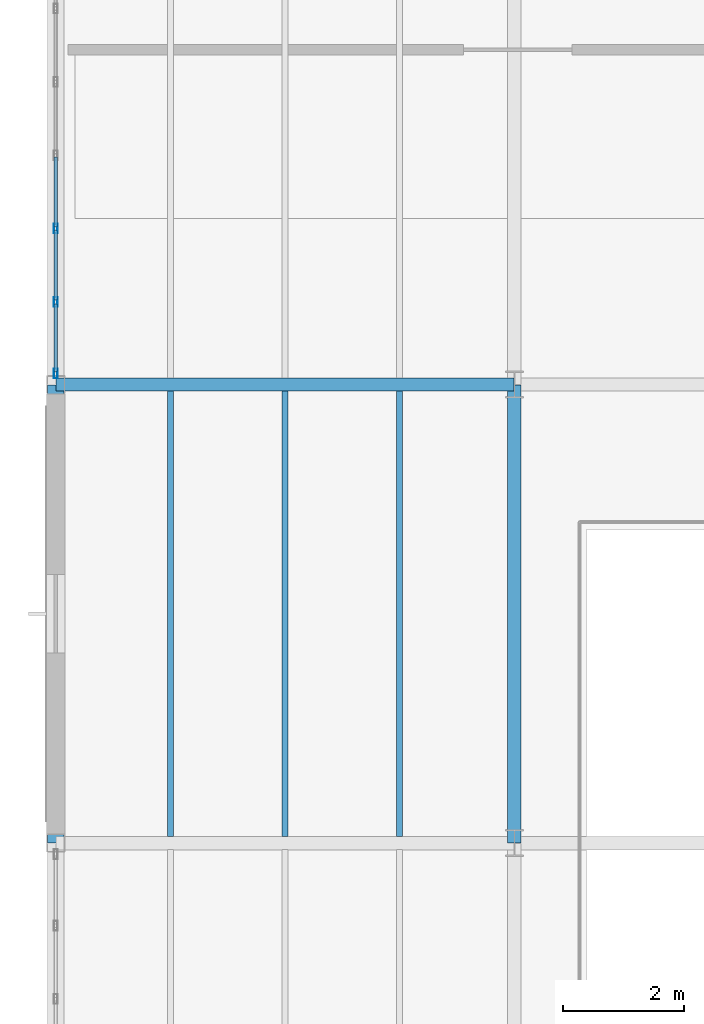
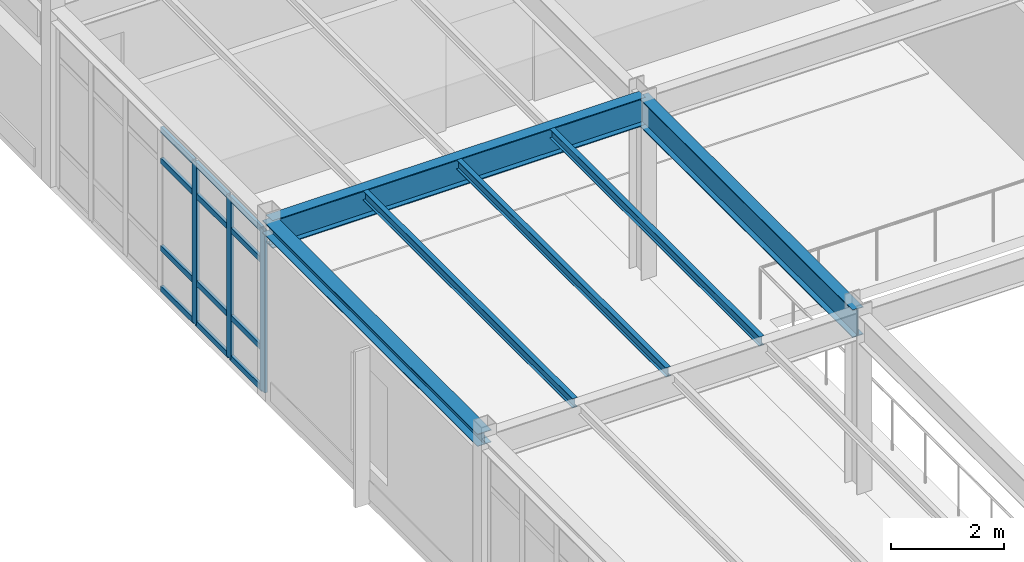
# One storey, part 68 of 165: 15 members, 6 beams, 1 element without a shape of its own.
"""IFC4 building model written with IfcOpenShell, lengths in metres."""

from ifc_helpers import new_model, si_unit, direction, frame, origin, origin_2d, place, context, subcontext, project, spatial, hollow_rectangle, i_section, extrude, material, layer, layer_set, material_profile, profile_set, type_object, element, aggregate, save


model = new_model("IFC4")

# Units and contexts
model_context = context("Model", 3, precision=1e-05, world=origin(), true_north=direction((0.0, 1.0)))
body_context = subcontext(model_context, "Body", "Model", "MODEL_VIEW")
ifc_project = project(units=[si_unit("LENGTHUNIT", "METRE"), si_unit("AREAUNIT", "SQUARE_METRE"), si_unit("VOLUMEUNIT", "CUBIC_METRE"), si_unit("PLANEANGLEUNIT", "RADIAN"), si_unit("MASSUNIT", "GRAM", prefix="KILO")], contexts=[model_context])

# Site, building, storey
site_placement = place(None, origin())
site = spatial("IfcSite", under=ifc_project, at=site_placement, CompositionType="ELEMENT")
building_placement = place(site_placement, origin())
building = spatial("IfcBuilding", under=site, at=building_placement, Name="Montecoro Central Library", CompositionType="ELEMENT")
storey_placement = place(building_placement, frame((0.0, 0.0, 5.10009765625)))
storey = spatial("IfcBuildingStorey", under=building, at=storey_placement, Name="L01", CompositionType="ELEMENT", Elevation=5.10009765625)

# Beams
ifc_material_1 = material(Name="Steel S355J2", Category="steel")
ifc_material_profile_1 = material_profile(ifc_material_1, i_section(OverallWidth=0.219970703125, OverallDepth=0.60009765625, WebThickness=0.011962890625, FlangeThickness=0.01904296875, at=origin_2d()), Name="IPE 600")
ifc_profile_set_1 = profile_set([ifc_material_profile_1], Name="Steel S355J2")
beam_type_1 = type_object("IfcBeamType", Name="BM-G-IPE600", PredefinedType="USERDEFINED", material=ifc_profile_set_1)
for number, where, z_axis, x_axis, name in (
    (1, (5.0048828125, 96.199951171875, 3.52490234375), (1.0, 0.0, 0.0), (0.0, 1.0, 0.0), "V4-L01-BX-12-N"),
    (2, (12.60009765625, 88.60498046875, 3.52490234375), (0.0, 1.0, 0.0), (-1.0, 0.0, 0.0), "V4-L01-BY-2-MN"),
):
    element("IfcBeam", number, at=place(storey_placement, frame(where, z_axis=z_axis, x_axis=x_axis)), inside=storey, type_object=beam_type_1, Name=name, ObjectType="GIRDER", PredefinedType="USERDEFINED", context=body_context, shape_type="SweptSolid", body=[
        extrude(i_section(OverallWidth=0.219970703125, OverallDepth=0.60009765625, WebThickness=0.011962890625, FlangeThickness=0.01904296875, at=origin_2d()), origin(), (0.0, 0.0, 1.0), 7.590087890625),
    ])
ifc_material_2 = material(Name="Steel S355", Category="steel")
ifc_material_profile_2 = material_profile(ifc_material_2, i_section(OverallWidth=0.10009765625, OverallDepth=0.199951171875, WebThickness=0.005615234375, FlangeThickness=0.008544921875, at=origin_2d()), Name="IPE 200")
ifc_profile_set_2 = profile_set([ifc_material_profile_2], Name="Steel S355")
beam_type_2 = type_object("IfcBeamType", Name="BM-J-IPE200", PredefinedType="JOIST", material=ifc_profile_set_2)
for number, where, z_axis, x_axis, name in (
    (3, (6.89990234375, 88.70703125, 3.724853515625), (0.0, 1.0, 0.0), (-1.0, 0.0, 0.0), "V4-L01-JS-12-MN-1"),
    (4, (8.800048828125, 88.70703125, 3.724853515625), (0.0, 1.0, 0.0), (-1.0, 0.0, 0.0), "V4-L01-JS-12-MN-2"),
    (5, (10.699951171875, 88.70703125, 3.724853515625), (0.0, 1.0, 0.0), (-1.0, 0.0, 0.0), "V4-L01-JS-12-MN-3"),
):
    element("IfcBeam", number, at=place(storey_placement, frame(where, z_axis=z_axis, x_axis=x_axis)), inside=storey, type_object=beam_type_2, Name=name, PredefinedType="JOIST", context=body_context, shape_type="SweptSolid", body=[
        extrude(i_section(OverallWidth=0.10009765625, OverallDepth=0.199951171875, WebThickness=0.005615234375, FlangeThickness=0.008544921875, at=origin_2d()), origin(), (0.0, 0.0, 1.0), 7.385986328125),
    ])
ifc_material_profile_3 = material_profile(ifc_material_2, i_section(OverallWidth=0.280029296875, OverallDepth=0.27001953125, WebThickness=0.008056640625, FlangeThickness=0.012939453125, at=origin_2d()), Name="HEA 280")
ifc_profile_set_3 = profile_set([ifc_material_profile_3], Name="Steel S355")
beam_type_3 = type_object("IfcBeamType", Name="BM-SP-HEA280", PredefinedType="SPANDREL", material=ifc_profile_set_3)
beam_placement = place(storey_placement, frame((5.0, 88.60498046875, 3.68994140625), z_axis=(0.0, 1.0, 0.0), x_axis=(-1.0, 0.0, 0.0)))
element("IfcBeam", 6, at=beam_placement, inside=storey, type_object=beam_type_3, Name="V4-L01-BY-1-MN", PredefinedType="SPANDREL", context=body_context, shape_type="SweptSolid", body=[
    extrude(i_section(OverallWidth=0.280029296875, OverallDepth=0.27001953125, WebThickness=0.008056640625, FlangeThickness=0.012939453125, at=origin_2d()), origin(), (0.0, 0.0, 1.0), 7.590087890625),
])

# Curtain wall, members
ifc_material_3 = material(Name="Bronze-anodised aluminium and low-E glazing", Category="aluminium")
ifc_layer = layer(ifc_material_3, 0.159912109375)
ifc_layer_set = layer_set([ifc_layer], Name="Bronze-anodised aluminium and low-E glazing")
curtain_wall_type = type_object("IfcCurtainWallType", Name="CWT-045", PredefinedType="NOTDEFINED", material=ifc_layer_set)
curtain_wall_placement = place(storey_placement, origin())
curtain_wall = element("IfcCurtainWall", 7, at=curtain_wall_placement, inside=storey, type_object=curtain_wall_type, Name="V4-L01-CW-W3", PredefinedType="NOTDEFINED")
ifc_material_4 = material(Name="Bronze-anodised aluminium", Category="aluminium")
ifc_material_profile_4 = material_profile(ifc_material_4, hollow_rectangle(XDim=0.06005859375, YDim=0.159912109375, WallThickness=0.00390625, at=origin_2d()), Name="CWM 160x60x4.0")
ifc_profile_set_4 = profile_set([ifc_material_profile_4], Name="Bronze-anodised aluminium")
member_type_1 = type_object("IfcMemberType", Name="CWM-BRZ-60", PredefinedType="MULLION", material=ifc_profile_set_4)
member_1_placement = place(storey_placement, frame((5.0, 98.784423828125, 0.0), z_axis=(0.0, 0.0, 1.0), x_axis=(1.0, 0.0, 0.0)))
member_1 = element("IfcMember", 8, at=member_1_placement, type_object=member_type_1, Name="CW-045 mullion 5", PredefinedType="MULLION", context=body_context, shape_type="SweptSolid", body=[
    extrude(hollow_rectangle(XDim=0.06005859375, YDim=0.159912109375, WallThickness=0.00390625, at=origin_2d()), origin(), (0.0, 0.0, 1.0), 3.47998046875),
])
member_2_placement = place(storey_placement, frame((5.0, 97.568603515625, 0.0), z_axis=(0.0, 0.0, 1.0), x_axis=(1.0, 0.0, 0.0)))
member_2 = element("IfcMember", 9, at=member_2_placement, type_object=member_type_1, Name="CW-045 mullion 6", PredefinedType="MULLION", context=body_context, shape_type="SweptSolid", body=[
    extrude(hollow_rectangle(XDim=0.06005859375, YDim=0.159912109375, WallThickness=0.00390625, at=origin_2d()), origin(), (0.0, 0.0, 1.0), 3.47998046875),
])
member_3_placement = place(storey_placement, frame((5.0, 96.383056640625, 0.0), z_axis=(0.0, 0.0, 1.0), x_axis=(1.0, 0.0, 0.0)))
member_3 = element("IfcMember", 10, at=member_3_placement, type_object=member_type_1, Name="CW-045 mullion 7", PredefinedType="MULLION", context=body_context, shape_type="SweptSolid", body=[
    extrude(hollow_rectangle(XDim=0.06005859375, YDim=0.159912109375, WallThickness=0.00390625, at=origin_2d()), origin(), (0.0, 0.0, 1.0), 3.47998046875),
])
ifc_material_profile_5 = material_profile(ifc_material_4, hollow_rectangle(XDim=0.06005859375, YDim=0.1201171875, WallThickness=0.00390625, at=origin_2d()), Name="CWT 120x60x4.0")
ifc_profile_set_5 = profile_set([ifc_material_profile_5], Name="Bronze-anodised aluminium")
member_type_2 = type_object("IfcMemberType", Name="CWT-BRZ-60", PredefinedType="USERDEFINED", material=ifc_profile_set_5)
member_4_placement = place(storey_placement, frame((5.0, 99.969970703125, 0.02978515625), z_axis=(0.0, -1.0, 0.0), x_axis=(1.0, 0.0, 0.0)))
member_4 = element("IfcMember", 11, at=member_4_placement, type_object=member_type_2, Name="CW-045 transom 4.1", ObjectType="TRANSOM", PredefinedType="USERDEFINED", context=body_context, shape_type="SweptSolid", body=[
    extrude(hollow_rectangle(XDim=0.06005859375, YDim=0.1201171875, WallThickness=0.00390625, at=origin_2d()), origin(), (0.0, 0.0, 1.0), 1.155517578125),
])
member_5_placement = place(storey_placement, frame((5.0, 99.969970703125, 0.89990234375), z_axis=(0.0, -1.0, 0.0), x_axis=(1.0, 0.0, 0.0)))
member_5 = element("IfcMember", 12, at=member_5_placement, type_object=member_type_2, Name="CW-045 transom 4.2", ObjectType="TRANSOM", PredefinedType="USERDEFINED", context=body_context, shape_type="SweptSolid", body=[
    extrude(hollow_rectangle(XDim=0.06005859375, YDim=0.1201171875, WallThickness=0.00390625, at=origin_2d()), origin(), (0.0, 0.0, 1.0), 1.155517578125),
])
member_6_placement = place(storey_placement, frame((5.0, 99.969970703125, 2.77978515625), z_axis=(0.0, -1.0, 0.0), x_axis=(1.0, 0.0, 0.0)))
member_6 = element("IfcMember", 13, at=member_6_placement, type_object=member_type_2, Name="CW-045 transom 4.3", ObjectType="TRANSOM", PredefinedType="USERDEFINED", context=body_context, shape_type="SweptSolid", body=[
    extrude(hollow_rectangle(XDim=0.06005859375, YDim=0.1201171875, WallThickness=0.00390625, at=origin_2d()), origin(), (0.0, 0.0, 1.0), 1.155517578125),
])
member_7_placement = place(storey_placement, frame((5.0, 99.969970703125, 3.449951171875), z_axis=(0.0, -1.0, 0.0), x_axis=(1.0, 0.0, 0.0)))
member_7 = element("IfcMember", 14, at=member_7_placement, type_object=member_type_2, Name="CW-045 transom 4.4", ObjectType="TRANSOM", PredefinedType="USERDEFINED", context=body_context, shape_type="SweptSolid", body=[
    extrude(hollow_rectangle(XDim=0.06005859375, YDim=0.1201171875, WallThickness=0.00390625, at=origin_2d()), origin(), (0.0, 0.0, 1.0), 1.155517578125),
])
member_8_placement = place(storey_placement, frame((5.0, 98.75439453125, 0.02978515625), z_axis=(0.0, -1.0, 0.0), x_axis=(1.0, 0.0, 0.0)))
member_8 = element("IfcMember", 15, at=member_8_placement, type_object=member_type_2, Name="CW-045 transom 5.1", ObjectType="TRANSOM", PredefinedType="USERDEFINED", context=body_context, shape_type="SweptSolid", body=[
    extrude(hollow_rectangle(XDim=0.06005859375, YDim=0.1201171875, WallThickness=0.00390625, at=origin_2d()), origin(), (0.0, 0.0, 1.0), 1.15576171875),
])
member_9_placement = place(storey_placement, frame((5.0, 98.75439453125, 0.89990234375), z_axis=(0.0, -1.0, 0.0), x_axis=(1.0, 0.0, 0.0)))
member_9 = element("IfcMember", 16, at=member_9_placement, type_object=member_type_2, Name="CW-045 transom 5.2", ObjectType="TRANSOM", PredefinedType="USERDEFINED", context=body_context, shape_type="SweptSolid", body=[
    extrude(hollow_rectangle(XDim=0.06005859375, YDim=0.1201171875, WallThickness=0.00390625, at=origin_2d()), origin(), (0.0, 0.0, 1.0), 1.15576171875),
])
member_10_placement = place(storey_placement, frame((5.0, 98.75439453125, 2.77978515625), z_axis=(0.0, -1.0, 0.0), x_axis=(1.0, 0.0, 0.0)))
member_10 = element("IfcMember", 17, at=member_10_placement, type_object=member_type_2, Name="CW-045 transom 5.3", ObjectType="TRANSOM", PredefinedType="USERDEFINED", context=body_context, shape_type="SweptSolid", body=[
    extrude(hollow_rectangle(XDim=0.06005859375, YDim=0.1201171875, WallThickness=0.00390625, at=origin_2d()), origin(), (0.0, 0.0, 1.0), 1.15576171875),
])
member_11_placement = place(storey_placement, frame((5.0, 98.75439453125, 3.449951171875), z_axis=(0.0, -1.0, 0.0), x_axis=(1.0, 0.0, 0.0)))
member_11 = element("IfcMember", 18, at=member_11_placement, type_object=member_type_2, Name="CW-045 transom 5.4", ObjectType="TRANSOM", PredefinedType="USERDEFINED", context=body_context, shape_type="SweptSolid", body=[
    extrude(hollow_rectangle(XDim=0.06005859375, YDim=0.1201171875, WallThickness=0.00390625, at=origin_2d()), origin(), (0.0, 0.0, 1.0), 1.15576171875),
])
member_12_placement = place(storey_placement, frame((5.0, 97.53857421875, 0.02978515625), z_axis=(0.0, -1.0, 0.0), x_axis=(1.0, 0.0, 0.0)))
member_12 = element("IfcMember", 19, at=member_12_placement, type_object=member_type_2, Name="CW-045 transom 6.1", ObjectType="TRANSOM", PredefinedType="USERDEFINED", context=body_context, shape_type="SweptSolid", body=[
    extrude(hollow_rectangle(XDim=0.06005859375, YDim=0.1201171875, WallThickness=0.00390625, at=origin_2d()), origin(), (0.0, 0.0, 1.0), 1.12548828125),
])
member_13_placement = place(storey_placement, frame((5.0, 97.53857421875, 0.89990234375), z_axis=(0.0, -1.0, 0.0), x_axis=(1.0, 0.0, 0.0)))
member_13 = element("IfcMember", 20, at=member_13_placement, type_object=member_type_2, Name="CW-045 transom 6.2", ObjectType="TRANSOM", PredefinedType="USERDEFINED", context=body_context, shape_type="SweptSolid", body=[
    extrude(hollow_rectangle(XDim=0.06005859375, YDim=0.1201171875, WallThickness=0.00390625, at=origin_2d()), origin(), (0.0, 0.0, 1.0), 1.12548828125),
])
member_14_placement = place(storey_placement, frame((5.0, 97.53857421875, 2.77978515625), z_axis=(0.0, -1.0, 0.0), x_axis=(1.0, 0.0, 0.0)))
member_14 = element("IfcMember", 21, at=member_14_placement, type_object=member_type_2, Name="CW-045 transom 6.3", ObjectType="TRANSOM", PredefinedType="USERDEFINED", context=body_context, shape_type="SweptSolid", body=[
    extrude(hollow_rectangle(XDim=0.06005859375, YDim=0.1201171875, WallThickness=0.00390625, at=origin_2d()), origin(), (0.0, 0.0, 1.0), 1.12548828125),
])
member_15_placement = place(storey_placement, frame((5.0, 97.53857421875, 3.449951171875), z_axis=(0.0, -1.0, 0.0), x_axis=(1.0, 0.0, 0.0)))
member_15 = element("IfcMember", 22, at=member_15_placement, type_object=member_type_2, Name="CW-045 transom 6.4", ObjectType="TRANSOM", PredefinedType="USERDEFINED", context=body_context, shape_type="SweptSolid", body=[
    extrude(hollow_rectangle(XDim=0.06005859375, YDim=0.1201171875, WallThickness=0.00390625, at=origin_2d()), origin(), (0.0, 0.0, 1.0), 1.12548828125),
])
aggregate(curtain_wall, [member_1, member_2, member_3, member_4, member_5, member_6, member_7, member_8, member_9, member_10, member_11, member_12, member_13, member_14, member_15])

save(model, "model.ifc")
